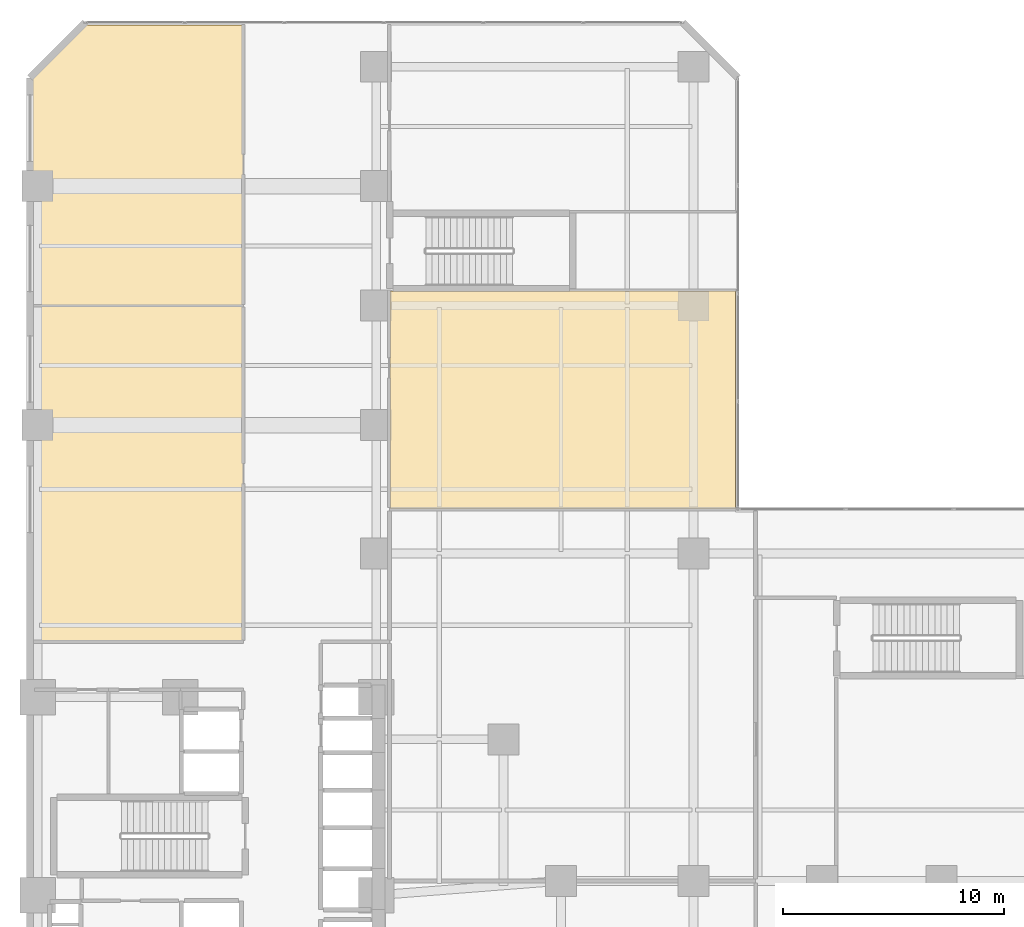
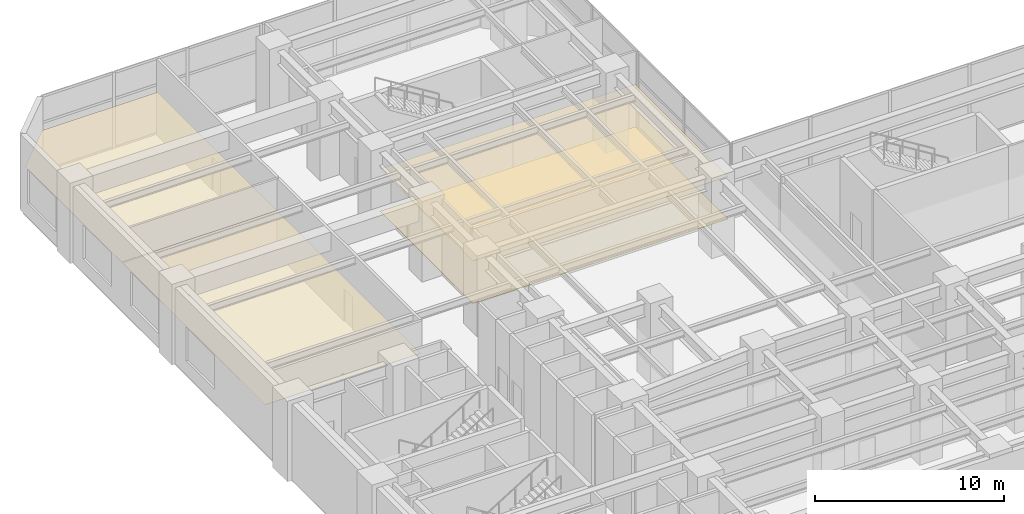
# One storey, part 21 of 22: 4 coverings.
"""IFC4 building model written with IfcOpenShell, lengths in metres."""

from ifc_helpers import new_model, si_unit, direction, frame, origin, place, context, subcontext, project, spatial, polyline, outline, extrude, material, layer, layer_set, type_object, element, save


model = new_model("IFC4")

# Units and contexts
model_context = context("Model", 3, precision=1e-05, world=origin(), true_north=direction((0.0, 1.0)))
body_context = subcontext(model_context, "Body", "Model", "MODEL_VIEW")
ifc_project = project(units=[si_unit("LENGTHUNIT", "METRE"), si_unit("AREAUNIT", "SQUARE_METRE"), si_unit("VOLUMEUNIT", "CUBIC_METRE"), si_unit("PLANEANGLEUNIT", "RADIAN"), si_unit("MASSUNIT", "GRAM", prefix="KILO")], contexts=[model_context])

# Site, building, storey
site_placement = place(None, origin())
site = spatial("IfcSite", under=ifc_project, at=site_placement, CompositionType="ELEMENT")
building_placement = place(site_placement, origin())
building = spatial("IfcBuilding", under=site, at=building_placement, Name="Mawjaban Terraces University", CompositionType="ELEMENT")
storey_placement = place(building_placement, frame((0.0, 0.0, 10.39990234375)))
storey = spatial("IfcBuildingStorey", under=building, at=storey_placement, Name="L02", CompositionType="ELEMENT", Elevation=10.39990234375)

# Coverings
ifc_material_1 = material(Name="Acoustic mineral fibre ceiling tile", Category="masonry")
ifc_layer_1 = layer(ifc_material_1, 0.02001953125)
ifc_layer_set_1 = layer_set([ifc_layer_1], Name="Acoustic mineral fibre ceiling tile")
covering_type_1 = type_object("IfcCoveringType", Name="AcousticMineralCeiling_20", PredefinedType="CEILING", material=ifc_layer_set_1)
covering_1_placement = place(storey_placement, frame((0.0, 0.0, 2.75)))
element("IfcCovering", 1, at=covering_1_placement, inside=storey, type_object=covering_type_1, Name="L02 Central Library Bookstack Hall Acoustic Ceiling", PredefinedType="CEILING", context=body_context, shape_type="SweptSolid", body=[
    extrude(outline(polyline([(22.114990234375, 41.169921875), (22.114990234375, 26.030029296875), (31.6201171875, 26.030029296875), (31.6201171875, 41.169921875), (22.114990234375, 41.169921875)])), origin(), (0.0, 0.0, 1.0), 0.02001953125),
])
covering_2_placement = place(storey_placement, frame((0.0, 0.0, 2.75)))
element("IfcCovering", 2, at=covering_2_placement, inside=storey, type_object=covering_type_1, Name="L02 Library Cataloguing and Faculty Office Acoustic Ceiling", PredefinedType="CEILING", context=body_context, shape_type="SweptSolid", body=[
    extrude(outline(polyline([(31.6201171875, 53.885009765625), (24.547119140625, 53.885009765625), (22.114990234375, 51.452880859375), (22.114990234375, 41.22998046875), (31.6201171875, 41.22998046875), (31.6201171875, 53.885009765625)])), origin(), (0.0, 0.0, 1.0), 0.02001953125),
])
covering_3_placement = place(storey_placement, frame((0.0, 0.0, 2.75)))
element("IfcCovering", 3, at=covering_3_placement, inside=storey, type_object=covering_type_1, Name="L02 Digital Scholarship Reading Hall Acoustic Ceiling", PredefinedType="CEILING", context=body_context, shape_type="SweptSolid", body=[
    extrude(outline(polyline([(53.885009765625, 32.030029296875), (53.885009765625, 41.8701171875), (38.280029296875, 41.8701171875), (38.280029296875, 32.030029296875), (53.885009765625, 32.030029296875)])), origin(), (0.0, 0.0, 1.0), 0.02001953125),
])
ifc_material_2 = material(Name="Polished Hijazi granite terrazzo flooring", Category="masonry")
ifc_layer_2 = layer(ifc_material_2, 0.02490234375)
ifc_layer_set_2 = layer_set([ifc_layer_2], Name="Polished Hijazi granite terrazzo flooring")
covering_type_2 = type_object("IfcCoveringType", Name="TerrazzoConcourseFlooring_25", PredefinedType="FLOORING", material=ifc_layer_set_2)
covering_4_placement = place(storey_placement, origin())
element("IfcCovering", 4, at=covering_4_placement, inside=storey, type_object=covering_type_2, Name="L02 Digital Scholarship Reading Hall Terrazzo Flooring", PredefinedType="FLOORING", context=body_context, shape_type="SweptSolid", body=[
    extrude(outline(polyline([(53.885009765625, 32.030029296875), (53.885009765625, 41.8701171875), (38.280029296875, 41.8701171875), (38.280029296875, 32.030029296875), (53.885009765625, 32.030029296875)])), origin(), (0.0, 0.0, 1.0), 0.025146484375),
])

save(model, "model.ifc")
